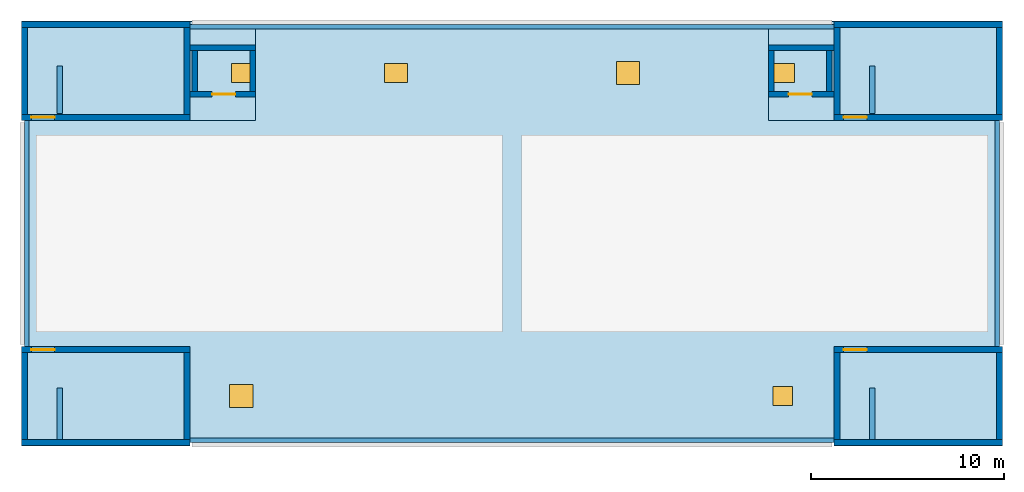
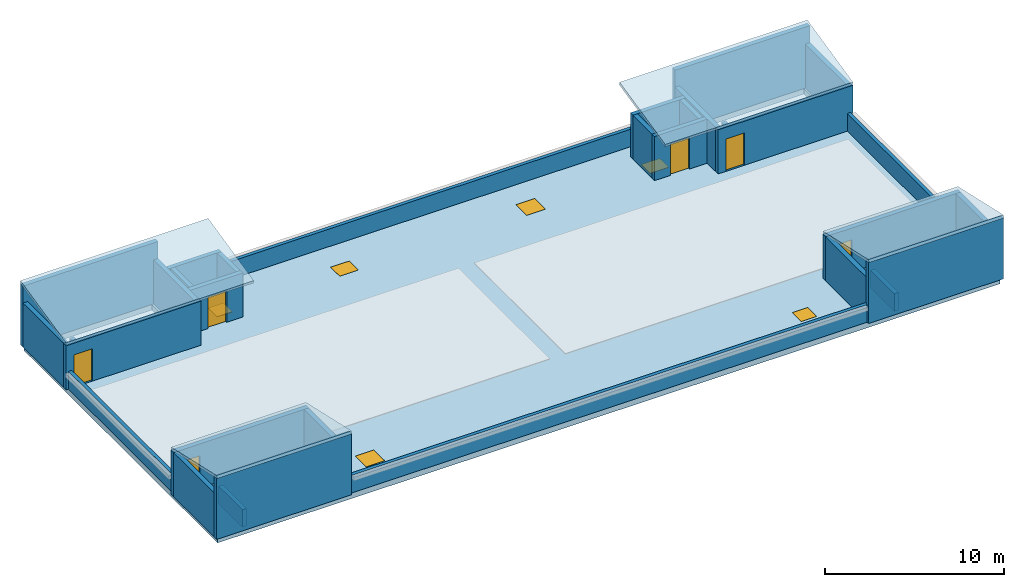
# One storey, part 1 of 2: 32 walls, 12 doors, 5 slabs, 12 openings.
"""IFC4 building model written with IfcOpenShell, lengths in metres."""

from ifc_helpers import new_model, si_unit, direction, frame, frame_2d, origin, origin_2d, place, context, subcontext, project, spatial, polyline, rectangle, outline, extrude, material, layer, layer_set, type_object, element, fill, save


model = new_model("IFC4")

# Units and contexts
model_context = context("Model", 3, precision=1e-05, world=origin(), true_north=direction((0.0, 1.0)))
body_context = subcontext(model_context, "Body", "Model", "MODEL_VIEW")
ifc_project = project(units=[si_unit("LENGTHUNIT", "METRE"), si_unit("AREAUNIT", "SQUARE_METRE"), si_unit("VOLUMEUNIT", "CUBIC_METRE"), si_unit("PLANEANGLEUNIT", "RADIAN"), si_unit("MASSUNIT", "GRAM", prefix="KILO")], contexts=[model_context])

# Site, building, storey
site_placement = place(None, origin())
site = spatial("IfcSite", under=ifc_project, at=site_placement, CompositionType="ELEMENT")
building_placement = place(site_placement, origin())
building = spatial("IfcBuilding", under=site, at=building_placement, Name="Chengyuan Square Courthouse", CompositionType="ELEMENT")
storey_placement = place(building_placement, frame((0.0, 0.0, 73.199951171875)))
storey = spatial("IfcBuildingStorey", under=building, at=storey_placement, Name="RF", CompositionType="ELEMENT", Elevation=73.199951171875)

# Slab, openings, doors
ifc_material_1 = material(Name="Concrete C40", Category="concrete")
ifc_layer_1 = layer(ifc_material_1, 0.3798828125)
ifc_layer_set_1 = layer_set([ifc_layer_1], Name="Concrete C40")
slab_type_1 = type_object("IfcSlabType", Name="SL-HRF", PredefinedType="ROOF", material=ifc_layer_set_1)
slab_placement = place(storey_placement, frame((0.0, 0.0, -0.3798828125)))
slab = element("IfcSlab", 1, at=slab_placement, inside=storey, type_object=slab_type_1, Name="Top-Floor High Roof Slab", PredefinedType="ROOF", context=body_context, shape_type="SweptSolid", body=[
    extrude(outline(polyline([(58.800048828125, 86.39990234375), (109.199951171875, 86.39990234375), (109.199951171875, 108.0), (58.800048828125, 108.0), (58.800048828125, 86.39990234375)]), holes=[polyline([(60.75, 103.199951171875), (66.949951171875, 103.199951171875), (66.949951171875, 107.85009765625), (60.75, 107.85009765625), (60.75, 103.199951171875)]), polyline([(102.75, 103.199951171875), (108.949951171875, 103.199951171875), (108.949951171875, 107.85009765625), (102.75, 107.85009765625), (102.75, 103.199951171875)]), polyline([(60.75, 86.550048828125), (66.949951171875, 86.550048828125), (66.949951171875, 91.199951171875), (60.75, 91.199951171875), (60.75, 86.550048828125)]), polyline([(102.75, 86.550048828125), (108.949951171875, 86.550048828125), (108.949951171875, 91.199951171875), (102.75, 91.199951171875), (102.75, 86.550048828125)]), polyline([(67.75, 104.550048828125), (70.449951171875, 104.550048828125), (70.449951171875, 106.64990234375), (67.75, 106.64990234375), (67.75, 104.550048828125)]), polyline([(97.550048828125, 104.550048828125), (100.25, 104.550048828125), (100.25, 106.64990234375), (97.550048828125, 106.64990234375), (97.550048828125, 104.550048828125)])]), origin(), (0.0, 0.0, 1.0), 0.3798828125),
])
opening_1_placement = place(slab_placement, frame((70.0, 105.5, 0.0)))
opening_1 = element("IfcOpeningElement", 2, at=opening_1_placement, cuts=slab, Name="Opening HT-01", PredefinedType="OPENING", context=body_context, shape_type="SweptSolid", body=[
    extrude(rectangle(XDim=1.0, YDim=1.0, at=origin_2d()), origin(), (0.0, 0.0, 1.0), 0.3798828125),
])
opening_2_placement = place(slab_placement, frame((98.0, 105.5, 0.0)))
opening_2 = element("IfcOpeningElement", 3, at=opening_2_placement, cuts=slab, Name="Opening HT-02", PredefinedType="OPENING", context=body_context, shape_type="SweptSolid", body=[
    extrude(rectangle(XDim=1.199951171875, YDim=1.0, at=origin_2d()), origin(), (0.0, 0.0, 1.0), 0.3798828125),
])
opening_3_placement = place(slab_placement, frame((70.0, 88.800048828125, 0.0)))
opening_3 = element("IfcOpeningElement", 4, at=opening_3_placement, cuts=slab, Name="Opening HT-03", PredefinedType="OPENING", context=body_context, shape_type="SweptSolid", body=[
    extrude(rectangle(XDim=1.199951171875, YDim=1.199951171875, at=origin_2d()), origin(), (0.0, 0.0, 1.0), 0.3798828125),
])
opening_4_placement = place(slab_placement, frame((98.0, 88.800048828125, 0.0)))
opening_4 = element("IfcOpeningElement", 5, at=opening_4_placement, cuts=slab, Name="Opening HT-04", PredefinedType="OPENING", context=body_context, shape_type="SweptSolid", body=[
    extrude(rectangle(XDim=1.0, YDim=1.0, at=origin_2d()), origin(), (0.0, 0.0, 1.0), 0.3798828125),
])
opening_5_placement = place(slab_placement, frame((78.0, 105.5, 0.0)))
opening_5 = element("IfcOpeningElement", 6, at=opening_5_placement, cuts=slab, Name="Opening HT-05", PredefinedType="OPENING", context=body_context, shape_type="SweptSolid", body=[
    extrude(rectangle(XDim=1.199951171875, YDim=1.0, at=origin_2d()), origin(), (0.0, 0.0, 1.0), 0.3798828125),
])
opening_6_placement = place(slab_placement, frame((90.0, 105.5, 0.0)))
opening_6 = element("IfcOpeningElement", 7, at=opening_6_placement, cuts=slab, Name="Opening HT-06", PredefinedType="OPENING", context=body_context, shape_type="SweptSolid", body=[
    extrude(rectangle(XDim=1.199951171875, YDim=1.199951171875, at=origin_2d()), origin(), (0.0, 0.0, 1.0), 0.3798828125),
])
ifc_material_2 = material(Name="Insulated Aluminium Roof Hatch", Category="aluminium")
door_type_1 = type_object("IfcDoorType", Name="DT-46", OperationType="SINGLE_SWING_LEFT", PredefinedType="TRAPDOOR", material=ifc_material_2)
door_1_placement = place(opening_1_placement, frame((0.0, 0.0, 0.329833984375)))
door_1 = element("IfcDoor", 8, at=door_1_placement, inside=storey, type_object=door_type_1, Name="Roof Access Trapdoor HT-01", OperationType="SINGLE_SWING_LEFT", OverallHeight=1.0, OverallWidth=1.0, PredefinedType="TRAPDOOR", context=body_context, shape_type="SweptSolid", body=[
    extrude(rectangle(XDim=1.0, YDim=1.0, at=origin_2d()), origin(), (0.0, 0.0, 1.0), 0.050048828125),
])
fill(opening_1, door_1)
door_2_placement = place(opening_4_placement, frame((0.0, 0.0, 0.329833984375)))
door_2 = element("IfcDoor", 9, at=door_2_placement, inside=storey, type_object=door_type_1, Name="Roof Access Trapdoor HT-04", OperationType="SINGLE_SWING_LEFT", OverallHeight=1.0, OverallWidth=1.0, PredefinedType="TRAPDOOR", context=body_context, shape_type="SweptSolid", body=[
    extrude(rectangle(XDim=1.0, YDim=1.0, at=origin_2d()), origin(), (0.0, 0.0, 1.0), 0.050048828125),
])
fill(opening_4, door_2)
door_type_2 = type_object("IfcDoorType", Name="DT-47", OperationType="SINGLE_SWING_LEFT", PredefinedType="TRAPDOOR", material=ifc_material_2)
door_3_placement = place(opening_2_placement, frame((0.0, 0.0, 0.329833984375)))
door_3 = element("IfcDoor", 10, at=door_3_placement, inside=storey, type_object=door_type_2, Name="Roof Access Trapdoor HT-02", OperationType="SINGLE_SWING_LEFT", OverallHeight=1.0, OverallWidth=1.199951171875, PredefinedType="TRAPDOOR", context=body_context, shape_type="SweptSolid", body=[
    extrude(rectangle(XDim=1.199951171875, YDim=1.0, at=origin_2d()), origin(), (0.0, 0.0, 1.0), 0.050048828125),
])
fill(opening_2, door_3)
door_4_placement = place(opening_5_placement, frame((0.0, 0.0, 0.329833984375)))
door_4 = element("IfcDoor", 11, at=door_4_placement, inside=storey, type_object=door_type_2, Name="Roof Access Trapdoor HT-05", OperationType="SINGLE_SWING_LEFT", OverallHeight=1.0, OverallWidth=1.199951171875, PredefinedType="TRAPDOOR", context=body_context, shape_type="SweptSolid", body=[
    extrude(rectangle(XDim=1.199951171875, YDim=1.0, at=origin_2d()), origin(), (0.0, 0.0, 1.0), 0.050048828125),
])
fill(opening_5, door_4)
door_type_3 = type_object("IfcDoorType", Name="DT-48", OperationType="SINGLE_SWING_LEFT", PredefinedType="TRAPDOOR", material=ifc_material_2)
door_5_placement = place(opening_3_placement, frame((0.0, 0.0, 0.329833984375)))
door_5 = element("IfcDoor", 12, at=door_5_placement, inside=storey, type_object=door_type_3, Name="Roof Access Trapdoor HT-03", OperationType="SINGLE_SWING_LEFT", OverallHeight=1.199951171875, OverallWidth=1.199951171875, PredefinedType="TRAPDOOR", context=body_context, shape_type="SweptSolid", body=[
    extrude(rectangle(XDim=1.199951171875, YDim=1.199951171875, at=origin_2d()), origin(), (0.0, 0.0, 1.0), 0.050048828125),
])
fill(opening_3, door_5)
door_6_placement = place(opening_6_placement, frame((0.0, 0.0, 0.329833984375)))
door_6 = element("IfcDoor", 13, at=door_6_placement, inside=storey, type_object=door_type_3, Name="Roof Access Trapdoor HT-06", OperationType="SINGLE_SWING_LEFT", OverallHeight=1.199951171875, OverallWidth=1.199951171875, PredefinedType="TRAPDOOR", context=body_context, shape_type="SweptSolid", body=[
    extrude(rectangle(XDim=1.199951171875, YDim=1.199951171875, at=origin_2d()), origin(), (0.0, 0.0, 1.0), 0.050048828125),
])
fill(opening_6, door_6)

# Slabs
ifc_layer_2 = layer(ifc_material_1, 0.199951171875)
ifc_layer_set_2 = layer_set([ifc_layer_2], Name="Concrete C40")
slab_type_2 = type_object("IfcSlabType", Name="SL-MRF", PredefinedType="ROOF", material=ifc_layer_set_2)
for number, where, z_axis, x_axis, name in (
    (14, (58.64990234375, 103.050048828125, 3.199951171875), (0.0, -0.219999995278, 0.975499872926), (1.0, 0.0, 0.0), "Stair Head-House Pitched Roof Slab ST-1"),
    (15, (97.25, 103.050048828125, 3.199951171875), (0.0, -0.219999995278, 0.975499872926), (1.0, 0.0, 0.0), "Stair Head-House Pitched Roof Slab ST-2"),
):
    element("IfcSlab", number, at=place(storey_placement, frame(where, z_axis=z_axis, x_axis=x_axis)), inside=storey, type_object=slab_type_2, Name=name, PredefinedType="ROOF", context=body_context, shape_type="SweptSolid", body=[
        extrude(outline(polyline([(0.0, 0.0), (12.10009765625, 0.0), (12.10009765625, 5.2279386775623955), (0.0, 5.2279386775623955), (0.0, 0.0)])), origin(), (0.0, 0.0, -1.0), 0.199951171875),
    ])
for number, where, z_axis, x_axis, name in (
    (16, (58.64990234375, 86.25, 4.35009765625), (0.0, 0.219989973606, 0.975502133013), (1.0, 0.0, 0.0), "Stair Head-House Pitched Roof Slab ST-3"),
    (17, (100.64990234375, 86.25, 4.35009765625), (0.0, 0.219989973606, 0.975502133013), (1.0, 0.0, 0.0), "Stair Head-House Pitched Roof Slab ST-4"),
):
    element("IfcSlab", number, at=place(storey_placement, frame(where, z_axis=z_axis, x_axis=x_axis)), inside=storey, type_object=slab_type_2, Name=name, PredefinedType="ROOF", context=body_context, shape_type="SweptSolid", body=[
        extrude(outline(polyline([(0.0, 0.0), (8.7001953125, 0.0), (8.7001953125, 5.228176836986955), (0.0, 5.228176836986955), (0.0, 0.0)])), origin(), (0.0, 0.0, -1.0), 0.199951171875),
    ])

# Walls
ifc_layer_3 = layer(ifc_material_1, 0.280029296875)
ifc_layer_set_3 = layer_set([ifc_layer_3], Name="Concrete C40")
wall_type_1 = type_object("IfcWallType", Name="WL-EW4", PredefinedType="STANDARD", material=ifc_layer_set_3)
for number, where, z_axis, x_axis, name in (
    (18, (60.6201171875, 103.39990234375, 0.0), (0.0, 0.0, 1.0), (0.0, 1.0, 0.0), "Stair Head-House Well Guard Wall ST-1"),
    (19, (102.6201171875, 103.39990234375, 0.0), (0.0, 0.0, 1.0), (0.0, 1.0, 0.0), "Stair Head-House Well Guard Wall ST-2"),
):
    element("IfcWall", number, at=place(storey_placement, frame(where, z_axis=z_axis, x_axis=x_axis)), inside=storey, type_object=wall_type_1, Name=name, PredefinedType="STANDARD", context=body_context, shape_type="SweptSolid", body=[
        extrude(rectangle(XDim=2.4501953125, YDim=0.280029296875, at=frame_2d((1.22509765625, 0.0))), origin(), (0.0, 0.0, 1.0), 1.199951171875),
    ])
for number, where, z_axis, x_axis, name in (
    (20, (60.6201171875, 86.550048828125, 0.0), (0.0, 0.0, 1.0), (0.0, 1.0, 0.0), "Stair Head-House Well Guard Wall ST-3"),
    (21, (102.6201171875, 86.550048828125, 0.0), (0.0, 0.0, 1.0), (0.0, 1.0, 0.0), "Stair Head-House Well Guard Wall ST-4"),
):
    element("IfcWall", number, at=place(storey_placement, frame(where, z_axis=z_axis, x_axis=x_axis)), inside=storey, type_object=wall_type_1, Name=name, PredefinedType="STANDARD", context=body_context, shape_type="SweptSolid", body=[
        extrude(rectangle(XDim=2.64990234375, YDim=0.280029296875, at=frame_2d((1.324951171875, 0.0))), origin(), (0.0, 0.0, 1.0), 1.199951171875),
    ])

# Wall, opening, door
wall_1_placement = place(storey_placement, frame((67.35009765625, 104.39990234375, 0.0), z_axis=(0.0, 0.0, 1.0), x_axis=(1.0, 0.0, 0.0)))
wall_1 = element("IfcWall", 22, at=wall_1_placement, inside=storey, type_object=wall_type_1, Name="Firefighting Lift Head-House Wall WL-RF-LH1S", PredefinedType="STANDARD", context=body_context, shape_type="SweptSolid", body=[
    extrude(rectangle(XDim=3.389892578125, YDim=0.280029296875, at=frame_2d((1.69482421875, 0.0))), origin(), (0.0, 0.0, 1.0), 3.0),
])
opening_7_placement = place(wall_1_placement, frame((1.14990234375, 0.0, 0.0)))
opening_7 = element("IfcOpeningElement", 23, at=opening_7_placement, cuts=wall_1, Name="Opening LD-217", PredefinedType="OPENING", context=body_context, shape_type="SweptSolid", body=[
    extrude(rectangle(XDim=1.199951171875, YDim=2.14990234375, at=frame_2d((0.60009765625, 1.074951171875))), frame((0.0, 0.152099609375, 0.0), z_axis=(0.0, -1.0, 0.0), x_axis=(1.0, 0.0, 0.0)), (0.0, 0.0, 1.0), 0.303955078125),
])
ifc_material_3 = material(Name="Stainless Steel S30408 Lift Landing Door", Category="steel")
door_type_4 = type_object("IfcDoorType", Name="DT-05", OperationType="DOUBLE_DOOR_SLIDING", PredefinedType="DOOR", material=ifc_material_3)
door_7_placement = place(opening_7_placement, origin())
door_7 = element("IfcDoor", 24, at=door_7_placement, inside=storey, type_object=door_type_4, Name="Lift Landing Door LF-F1 RF", OperationType="DOUBLE_DOOR_SLIDING", OverallHeight=2.14990234375, OverallWidth=1.199951171875, PredefinedType="DOOR", context=body_context, shape_type="SweptSolid", body=[
    extrude(rectangle(XDim=1.199951171875, YDim=2.14990234375, at=frame_2d((0.60009765625, 1.074951171875))), frame((0.0, 0.02490234375, 0.0), z_axis=(0.0, -1.0, 0.0), x_axis=(1.0, 0.0, 0.0)), (0.0, 0.0, 1.0), 0.050048828125),
])
fill(opening_7, door_7)

# Walls
wall_2_placement = place(storey_placement, frame((67.35009765625, 106.800048828125, 0.0), z_axis=(0.0, 0.0, 1.0), x_axis=(1.0, 0.0, 0.0)))
element("IfcWall", 25, at=wall_2_placement, inside=storey, type_object=wall_type_1, Name="Firefighting Lift Head-House Wall WL-RF-LH1N", PredefinedType="STANDARD", context=body_context, shape_type="SweptSolid", body=[
    extrude(rectangle(XDim=3.389892578125, YDim=0.280029296875, at=frame_2d((1.69482421875, 0.0))), origin(), (0.0, 0.0, 1.0), 3.0),
])
for number, where, z_axis, x_axis, name in (
    (26, (67.60009765625, 104.5400390625, 0.0), (0.0, 0.0, 1.0), (0.0, 1.0, 0.0), "Firefighting Lift Head-House Wall WL-RF-LH1W"),
    (27, (70.60009765625, 104.5400390625, 0.0), (0.0, 0.0, 1.0), (0.0, 1.0, 0.0), "Firefighting Lift Head-House Wall WL-RF-LH1E"),
):
    element("IfcWall", number, at=place(storey_placement, frame(where, z_axis=z_axis, x_axis=x_axis)), inside=storey, type_object=wall_type_1, Name=name, PredefinedType="STANDARD", context=body_context, shape_type="SweptSolid", body=[
        extrude(rectangle(XDim=2.119873046875, YDim=0.280029296875, at=frame_2d((1.06005859375, 0.0))), origin(), (0.0, 0.0, 1.0), 3.0),
    ])

# Wall, opening, door
wall_3_placement = place(storey_placement, frame((97.260009765625, 104.39990234375, 0.0), z_axis=(0.0, 0.0, 1.0), x_axis=(1.0, 0.0, 0.0)))
wall_3 = element("IfcWall", 28, at=wall_3_placement, inside=storey, type_object=wall_type_1, Name="Firefighting Lift Head-House Wall WL-RF-LH2S", PredefinedType="STANDARD", context=body_context, shape_type="SweptSolid", body=[
    extrude(rectangle(XDim=3.389892578125, YDim=0.280029296875, at=frame_2d((1.69482421875, 0.0))), origin(), (0.0, 0.0, 1.0), 3.0),
])
opening_8_placement = place(wall_3_placement, frame((1.0400390625, 0.0, 0.0)))
opening_8 = element("IfcOpeningElement", 29, at=opening_8_placement, cuts=wall_3, Name="Opening LD-218", PredefinedType="OPENING", context=body_context, shape_type="SweptSolid", body=[
    extrude(rectangle(XDim=1.199951171875, YDim=2.14990234375, at=frame_2d((0.60009765625, 1.074951171875))), frame((0.0, 0.152099609375, 0.0), z_axis=(0.0, -1.0, 0.0), x_axis=(1.0, 0.0, 0.0)), (0.0, 0.0, 1.0), 0.303955078125),
])
door_8_placement = place(opening_8_placement, origin())
door_8 = element("IfcDoor", 30, at=door_8_placement, inside=storey, type_object=door_type_4, Name="Lift Landing Door LF-F2 RF", OperationType="DOUBLE_DOOR_SLIDING", OverallHeight=2.14990234375, OverallWidth=1.199951171875, PredefinedType="DOOR", context=body_context, shape_type="SweptSolid", body=[
    extrude(rectangle(XDim=1.199951171875, YDim=2.14990234375, at=frame_2d((0.60009765625, 1.074951171875))), frame((0.0, 0.02490234375, 0.0), z_axis=(0.0, -1.0, 0.0), x_axis=(1.0, 0.0, 0.0)), (0.0, 0.0, 1.0), 0.050048828125),
])
fill(opening_8, door_8)

# Walls
wall_4_placement = place(storey_placement, frame((97.260009765625, 106.800048828125, 0.0), z_axis=(0.0, 0.0, 1.0), x_axis=(1.0, 0.0, 0.0)))
element("IfcWall", 31, at=wall_4_placement, inside=storey, type_object=wall_type_1, Name="Firefighting Lift Head-House Wall WL-RF-LH2N", PredefinedType="STANDARD", context=body_context, shape_type="SweptSolid", body=[
    extrude(rectangle(XDim=3.389892578125, YDim=0.280029296875, at=frame_2d((1.69482421875, 0.0))), origin(), (0.0, 0.0, 1.0), 3.0),
])
for number, where, z_axis, x_axis, name in (
    (32, (97.39990234375, 104.5400390625, 0.0), (0.0, 0.0, 1.0), (0.0, 1.0, 0.0), "Firefighting Lift Head-House Wall WL-RF-LH2W"),
    (33, (100.39990234375, 104.5400390625, 0.0), (0.0, 0.0, 1.0), (0.0, 1.0, 0.0), "Firefighting Lift Head-House Wall WL-RF-LH2E"),
):
    element("IfcWall", number, at=place(storey_placement, frame(where, z_axis=z_axis, x_axis=x_axis)), inside=storey, type_object=wall_type_1, Name=name, PredefinedType="STANDARD", context=body_context, shape_type="SweptSolid", body=[
        extrude(rectangle(XDim=2.119873046875, YDim=0.280029296875, at=frame_2d((1.06005859375, 0.0))), origin(), (0.0, 0.0, 1.0), 3.0),
    ])
ifc_layer_4 = layer(ifc_material_1, 0.219970703125)
ifc_layer_set_4 = layer_set([ifc_layer_4], Name="Concrete C40")
wall_type_2 = type_object("IfcWallType", Name="WL-PR1", PredefinedType="PARAPET", material=ifc_layer_set_4)
for number, where, z_axis, x_axis, name in (
    (34, (67.35009765625, 86.510009765625, 0.0), (0.0, 0.0, 1.0), (1.0, 0.0, 0.0), "Crown Roof Perimeter Parapet PAR-RF-S1"),
    (35, (67.35009765625, 107.889892578125, 0.0), (0.0, 0.0, 1.0), (1.0, 0.0, 0.0), "Crown Roof Perimeter Parapet PAR-RF-N1"),
):
    element("IfcWall", number, at=place(storey_placement, frame(where, z_axis=z_axis, x_axis=x_axis)), inside=storey, type_object=wall_type_2, Name=name, PredefinedType="PARAPET", context=body_context, shape_type="SweptSolid", body=[
        extrude(rectangle(XDim=33.2998046875, YDim=0.219970703125, at=frame_2d((16.64990234375, 0.0))), origin(), (0.0, 0.0, 1.0), 1.199951171875),
    ])
for number, where, z_axis, x_axis, name in (
    (36, (58.909912109375, 91.35009765625, 0.0), (0.0, 0.0, 1.0), (0.0, 1.0, 0.0), "Crown Roof Perimeter Parapet PAR-RF-W1"),
    (37, (109.090087890625, 91.35009765625, 0.0), (0.0, 0.0, 1.0), (0.0, 1.0, 0.0), "Crown Roof Perimeter Parapet PAR-RF-E1"),
):
    element("IfcWall", number, at=place(storey_placement, frame(where, z_axis=z_axis, x_axis=x_axis)), inside=storey, type_object=wall_type_2, Name=name, PredefinedType="PARAPET", context=body_context, shape_type="SweptSolid", body=[
        extrude(rectangle(XDim=11.699951171875, YDim=0.219970703125, at=frame_2d((5.85009765625, 0.0))), origin(), (0.0, 0.0, 1.0), 1.199951171875),
    ])

# Wall, opening, door
ifc_layer_5 = layer(ifc_material_1, 0.300048828125)
ifc_layer_set_5 = layer_set([ifc_layer_5], Name="Concrete C40")
wall_type_3 = type_object("IfcWallType", Name="WL-SW2", PredefinedType="SHEAR", material=ifc_layer_set_5)
wall_5_placement = place(storey_placement, frame((58.64990234375, 103.199951171875, 0.0), z_axis=(0.0, 0.0, 1.0), x_axis=(1.0, 0.0, 0.0)))
wall_5 = element("IfcWall", 38, at=wall_5_placement, inside=storey, type_object=wall_type_3, Name="Stair Head-House Shear Wall WL-RF-BH1S", PredefinedType="SHEAR", context=body_context, shape_type="SweptSolid", body=[
    extrude(rectangle(XDim=8.7001953125, YDim=0.300048828125, at=frame_2d((4.35009765625, 0.0))), origin(), (0.0, 0.0, 1.0), 3.0),
])
opening_9_placement = place(wall_5_placement, frame((0.5, 0.0, 0.0)))
opening_9 = element("IfcOpeningElement", 39, at=opening_9_placement, cuts=wall_5, Name="Opening DR-RF1", PredefinedType="OPENING", context=body_context, shape_type="SweptSolid", body=[
    extrude(rectangle(XDim=1.199951171875, YDim=2.199951171875, at=frame_2d((0.60009765625, 1.10009765625))), frame((0.0, 0.162109375, 0.0), z_axis=(0.0, -1.0, 0.0), x_axis=(1.0, 0.0, 0.0)), (0.0, 0.0, 1.0), 0.323974609375),
])
ifc_material_4 = material(Name="Steel Q235B Fire Exit Door", Category="steel")
door_type_5 = type_object("IfcDoorType", Name="DT-03", OperationType="NOTDEFINED", PredefinedType="DOOR", material=ifc_material_4)
door_9_placement = place(opening_9_placement, frame((1.199951171875, 0.0, 0.0), z_axis=(0.0, 0.0, 1.0), x_axis=(-1.0, 0.0, 0.0)))
door_9 = element("IfcDoor", 40, at=door_9_placement, inside=storey, type_object=door_type_5, Name="Roof Stair Head-House Exit Door DR-RF1", OperationType="SINGLE_SWING_LEFT", OverallHeight=2.199951171875, OverallWidth=1.199951171875, PredefinedType="DOOR", context=body_context, shape_type="SweptSolid", body=[
    extrude(rectangle(XDim=1.199951171875, YDim=2.199951171875, at=frame_2d((0.60009765625, 1.10009765625))), frame((0.0, 0.02490234375, 0.0), z_axis=(0.0, -1.0, 0.0), x_axis=(1.0, 0.0, 0.0)), (0.0, 0.0, 1.0), 0.050048828125),
])
fill(opening_9, door_9)

# Walls
wall_6_placement = place(storey_placement, frame((58.64990234375, 108.0, 0.0), z_axis=(0.0, 0.0, 1.0), x_axis=(1.0, 0.0, 0.0)))
element("IfcWall", 41, at=wall_6_placement, inside=storey, type_object=wall_type_3, Name="Stair Head-House Shear Wall WL-RF-BH1N", PredefinedType="SHEAR", context=body_context, shape_type="SweptSolid", body=[
    extrude(rectangle(XDim=8.7001953125, YDim=0.300048828125, at=frame_2d((4.35009765625, 0.0))), origin(), (0.0, 0.0, 1.0), 4.150146484375),
])
for number, where, z_axis, x_axis, name in (
    (42, (58.800048828125, 103.35009765625, 0.0), (0.0, 0.0, 1.0), (0.0, 1.0, 0.0), "Stair Head-House Shear Wall WL-RF-BH1W"),
    (43, (67.199951171875, 103.35009765625, 0.0), (0.0, 0.0, 1.0), (0.0, 1.0, 0.0), "Stair Head-House Shear Wall WL-RF-BH1E"),
):
    element("IfcWall", number, at=place(storey_placement, frame(where, z_axis=z_axis, x_axis=x_axis)), inside=storey, type_object=wall_type_3, Name=name, PredefinedType="SHEAR", context=body_context, shape_type="SweptSolid", body=[
        extrude(rectangle(XDim=4.5, YDim=0.300048828125, at=frame_2d((2.25, 0.0))), origin(), (0.0, 0.0, 1.0), 3.0),
    ])

# Wall, opening, door
wall_7_placement = place(storey_placement, frame((100.64990234375, 103.199951171875, 0.0), z_axis=(0.0, 0.0, 1.0), x_axis=(1.0, 0.0, 0.0)))
wall_7 = element("IfcWall", 44, at=wall_7_placement, inside=storey, type_object=wall_type_3, Name="Stair Head-House Shear Wall WL-RF-BH2S", PredefinedType="SHEAR", context=body_context, shape_type="SweptSolid", body=[
    extrude(rectangle(XDim=8.7001953125, YDim=0.300048828125, at=frame_2d((4.35009765625, 0.0))), origin(), (0.0, 0.0, 1.0), 3.0),
])
opening_10_placement = place(wall_7_placement, frame((0.5, 0.0, 0.0)))
opening_10 = element("IfcOpeningElement", 45, at=opening_10_placement, cuts=wall_7, Name="Opening DR-RF2", PredefinedType="OPENING", context=body_context, shape_type="SweptSolid", body=[
    extrude(rectangle(XDim=1.199951171875, YDim=2.199951171875, at=frame_2d((0.60009765625, 1.10009765625))), frame((0.0, 0.162109375, 0.0), z_axis=(0.0, -1.0, 0.0), x_axis=(1.0, 0.0, 0.0)), (0.0, 0.0, 1.0), 0.323974609375),
])
door_10_placement = place(opening_10_placement, frame((1.199951171875, 0.0, 0.0), z_axis=(0.0, 0.0, 1.0), x_axis=(-1.0, 0.0, 0.0)))
door_10 = element("IfcDoor", 46, at=door_10_placement, inside=storey, type_object=door_type_5, Name="Roof Stair Head-House Exit Door DR-RF2", OperationType="SINGLE_SWING_RIGHT", OverallHeight=2.199951171875, OverallWidth=1.199951171875, PredefinedType="DOOR", context=body_context, shape_type="SweptSolid", body=[
    extrude(rectangle(XDim=1.199951171875, YDim=2.199951171875, at=frame_2d((0.60009765625, 1.10009765625))), frame((0.0, 0.02490234375, 0.0), z_axis=(0.0, -1.0, 0.0), x_axis=(1.0, 0.0, 0.0)), (0.0, 0.0, 1.0), 0.050048828125),
])
fill(opening_10, door_10)

# Walls
wall_8_placement = place(storey_placement, frame((100.64990234375, 108.0, 0.0), z_axis=(0.0, 0.0, 1.0), x_axis=(1.0, 0.0, 0.0)))
element("IfcWall", 47, at=wall_8_placement, inside=storey, type_object=wall_type_3, Name="Stair Head-House Shear Wall WL-RF-BH2N", PredefinedType="SHEAR", context=body_context, shape_type="SweptSolid", body=[
    extrude(rectangle(XDim=8.7001953125, YDim=0.300048828125, at=frame_2d((4.35009765625, 0.0))), origin(), (0.0, 0.0, 1.0), 4.150146484375),
])
for number, where, z_axis, x_axis, name in (
    (48, (100.800048828125, 103.35009765625, 0.0), (0.0, 0.0, 1.0), (0.0, 1.0, 0.0), "Stair Head-House Shear Wall WL-RF-BH2W"),
    (49, (109.199951171875, 103.35009765625, 0.0), (0.0, 0.0, 1.0), (0.0, 1.0, 0.0), "Stair Head-House Shear Wall WL-RF-BH2E"),
):
    element("IfcWall", number, at=place(storey_placement, frame(where, z_axis=z_axis, x_axis=x_axis)), inside=storey, type_object=wall_type_3, Name=name, PredefinedType="SHEAR", context=body_context, shape_type="SweptSolid", body=[
        extrude(rectangle(XDim=4.5, YDim=0.300048828125, at=frame_2d((2.25, 0.0))), origin(), (0.0, 0.0, 1.0), 3.0),
    ])
wall_9_placement = place(storey_placement, frame((58.64990234375, 86.39990234375, 0.0), z_axis=(0.0, 0.0, 1.0), x_axis=(1.0, 0.0, 0.0)))
element("IfcWall", 50, at=wall_9_placement, inside=storey, type_object=wall_type_3, Name="Stair Head-House Shear Wall WL-RF-BH3S", PredefinedType="SHEAR", context=body_context, shape_type="SweptSolid", body=[
    extrude(rectangle(XDim=8.7001953125, YDim=0.300048828125, at=frame_2d((4.35009765625, 0.0))), origin(), (0.0, 0.0, 1.0), 4.150146484375),
])

# Wall, opening, door
wall_10_placement = place(storey_placement, frame((58.64990234375, 91.199951171875, 0.0), z_axis=(0.0, 0.0, 1.0), x_axis=(1.0, 0.0, 0.0)))
wall_10 = element("IfcWall", 51, at=wall_10_placement, inside=storey, type_object=wall_type_3, Name="Stair Head-House Shear Wall WL-RF-BH3N", PredefinedType="SHEAR", context=body_context, shape_type="SweptSolid", body=[
    extrude(rectangle(XDim=8.7001953125, YDim=0.300048828125, at=frame_2d((4.35009765625, 0.0))), origin(), (0.0, 0.0, 1.0), 3.0),
])
opening_11_placement = place(wall_10_placement, frame((0.5, 0.0, 0.0)))
opening_11 = element("IfcOpeningElement", 52, at=opening_11_placement, cuts=wall_10, Name="Opening DR-RF3", PredefinedType="OPENING", context=body_context, shape_type="SweptSolid", body=[
    extrude(rectangle(XDim=1.199951171875, YDim=2.199951171875, at=frame_2d((0.60009765625, 1.10009765625))), frame((0.0, 0.162109375, 0.0), z_axis=(0.0, -1.0, 0.0), x_axis=(1.0, 0.0, 0.0)), (0.0, 0.0, 1.0), 0.323974609375),
])
door_11_placement = place(opening_11_placement, origin())
door_11 = element("IfcDoor", 53, at=door_11_placement, inside=storey, type_object=door_type_5, Name="Roof Stair Head-House Exit Door DR-RF3", OperationType="SINGLE_SWING_RIGHT", OverallHeight=2.199951171875, OverallWidth=1.199951171875, PredefinedType="DOOR", context=body_context, shape_type="SweptSolid", body=[
    extrude(rectangle(XDim=1.199951171875, YDim=2.199951171875, at=frame_2d((0.60009765625, 1.10009765625))), frame((0.0, 0.02490234375, 0.0), z_axis=(0.0, -1.0, 0.0), x_axis=(1.0, 0.0, 0.0)), (0.0, 0.0, 1.0), 0.050048828125),
])
fill(opening_11, door_11)

# Walls
for number, where, z_axis, x_axis, name in (
    (54, (58.800048828125, 86.550048828125, 0.0), (0.0, 0.0, 1.0), (0.0, 1.0, 0.0), "Stair Head-House Shear Wall WL-RF-BH3W"),
    (55, (67.199951171875, 86.550048828125, 0.0), (0.0, 0.0, 1.0), (0.0, 1.0, 0.0), "Stair Head-House Shear Wall WL-RF-BH3E"),
):
    element("IfcWall", number, at=place(storey_placement, frame(where, z_axis=z_axis, x_axis=x_axis)), inside=storey, type_object=wall_type_3, Name=name, PredefinedType="SHEAR", context=body_context, shape_type="SweptSolid", body=[
        extrude(rectangle(XDim=4.5, YDim=0.300048828125, at=frame_2d((2.25, 0.0))), origin(), (0.0, 0.0, 1.0), 3.0),
    ])
wall_11_placement = place(storey_placement, frame((100.64990234375, 86.39990234375, 0.0), z_axis=(0.0, 0.0, 1.0), x_axis=(1.0, 0.0, 0.0)))
element("IfcWall", 56, at=wall_11_placement, inside=storey, type_object=wall_type_3, Name="Stair Head-House Shear Wall WL-RF-BH4S", PredefinedType="SHEAR", context=body_context, shape_type="SweptSolid", body=[
    extrude(rectangle(XDim=8.7001953125, YDim=0.300048828125, at=frame_2d((4.35009765625, 0.0))), origin(), (0.0, 0.0, 1.0), 4.150146484375),
])

# Wall, opening, door
wall_12_placement = place(storey_placement, frame((100.64990234375, 91.199951171875, 0.0), z_axis=(0.0, 0.0, 1.0), x_axis=(1.0, 0.0, 0.0)))
wall_12 = element("IfcWall", 57, at=wall_12_placement, inside=storey, type_object=wall_type_3, Name="Stair Head-House Shear Wall WL-RF-BH4N", PredefinedType="SHEAR", context=body_context, shape_type="SweptSolid", body=[
    extrude(rectangle(XDim=8.7001953125, YDim=0.300048828125, at=frame_2d((4.35009765625, 0.0))), origin(), (0.0, 0.0, 1.0), 3.0),
])
opening_12_placement = place(wall_12_placement, frame((0.5, 0.0, 0.0)))
opening_12 = element("IfcOpeningElement", 58, at=opening_12_placement, cuts=wall_12, Name="Opening DR-RF4", PredefinedType="OPENING", context=body_context, shape_type="SweptSolid", body=[
    extrude(rectangle(XDim=1.199951171875, YDim=2.199951171875, at=frame_2d((0.60009765625, 1.10009765625))), frame((0.0, 0.162109375, 0.0), z_axis=(0.0, -1.0, 0.0), x_axis=(1.0, 0.0, 0.0)), (0.0, 0.0, 1.0), 0.323974609375),
])
door_12_placement = place(opening_12_placement, origin())
door_12 = element("IfcDoor", 59, at=door_12_placement, inside=storey, type_object=door_type_5, Name="Roof Stair Head-House Exit Door DR-RF4", OperationType="SINGLE_SWING_LEFT", OverallHeight=2.199951171875, OverallWidth=1.199951171875, PredefinedType="DOOR", context=body_context, shape_type="SweptSolid", body=[
    extrude(rectangle(XDim=1.199951171875, YDim=2.199951171875, at=frame_2d((0.60009765625, 1.10009765625))), frame((0.0, 0.02490234375, 0.0), z_axis=(0.0, -1.0, 0.0), x_axis=(1.0, 0.0, 0.0)), (0.0, 0.0, 1.0), 0.050048828125),
])
fill(opening_12, door_12)

# Walls
for number, where, z_axis, x_axis, name in (
    (60, (100.800048828125, 86.550048828125, 0.0), (0.0, 0.0, 1.0), (0.0, 1.0, 0.0), "Stair Head-House Shear Wall WL-RF-BH4W"),
    (61, (109.199951171875, 86.550048828125, 0.0), (0.0, 0.0, 1.0), (0.0, 1.0, 0.0), "Stair Head-House Shear Wall WL-RF-BH4E"),
):
    element("IfcWall", number, at=place(storey_placement, frame(where, z_axis=z_axis, x_axis=x_axis)), inside=storey, type_object=wall_type_3, Name=name, PredefinedType="SHEAR", context=body_context, shape_type="SweptSolid", body=[
        extrude(rectangle(XDim=4.5, YDim=0.300048828125, at=frame_2d((2.25, 0.0))), origin(), (0.0, 0.0, 1.0), 3.0),
    ])

save(model, "model.ifc")
